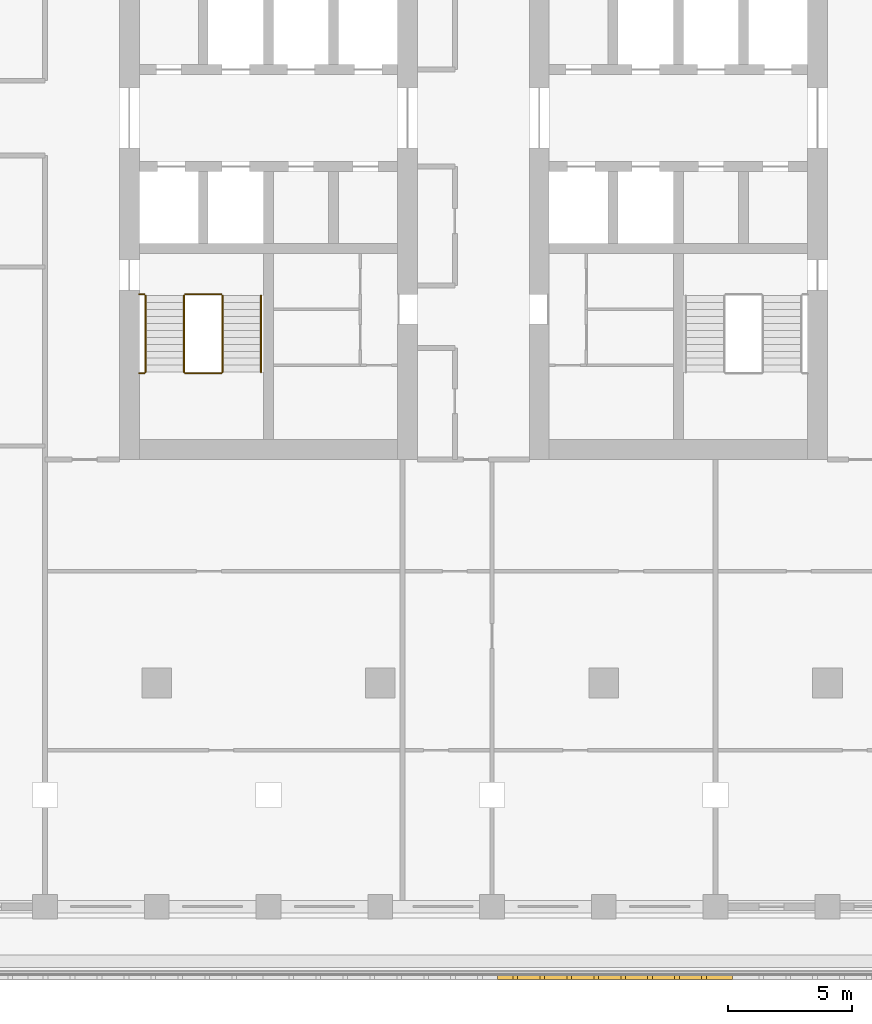
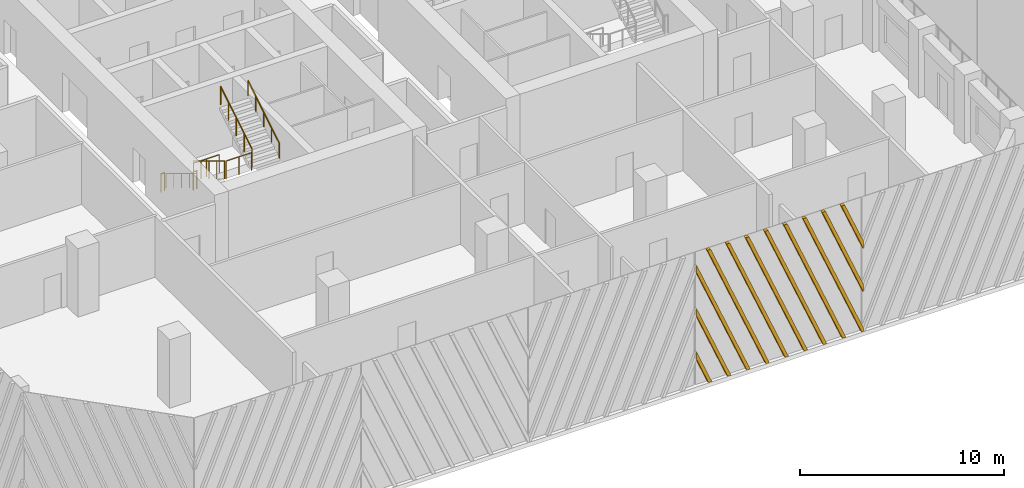
# One storey, part 11 of 17: 8 railings, 1 shading device.
"""IFC4 building model written with IfcOpenShell, lengths in metres."""

from ifc_helpers import new_model, si_unit, direction, frame, origin, origin_2d, place, context, subcontext, project, spatial, polyline, circle, outline, extrude, source, transform, mapped, material, type_object, element, save


model = new_model("IFC4")

# Units and contexts
model_context = context("Model", 3, precision=1e-05, world=origin(), true_north=direction((0.0, 1.0)))
body_context = subcontext(model_context, "Body", "Model", "MODEL_VIEW")
ifc_project = project(units=[si_unit("LENGTHUNIT", "METRE"), si_unit("AREAUNIT", "SQUARE_METRE"), si_unit("VOLUMEUNIT", "CUBIC_METRE"), si_unit("PLANEANGLEUNIT", "RADIAN"), si_unit("MASSUNIT", "GRAM", prefix="KILO")], contexts=[model_context])

# Site, building, storey
site_placement = place(None, origin())
site = spatial("IfcSite", under=ifc_project, at=site_placement, CompositionType="ELEMENT")
building_placement = place(site_placement, origin())
building = spatial("IfcBuilding", under=site, at=building_placement, Name="Corbel Stack Research Tower", CompositionType="ELEMENT")
storey_placement = place(building_placement, frame((0.0, 0.0, 156.800048828125)))
storey = spatial("IfcBuildingStorey", under=building, at=storey_placement, Name="L35", CompositionType="ELEMENT", Elevation=156.800048828125)

# Railings
ifc_material_1 = material(Name="Steel S355", Category="steel")
railing_type_1 = type_object("IfcRailingType", Name="Stair guard 1100", PredefinedType="GUARDRAIL", material=ifc_material_1)
railing_1_placement = place(storey_placement, frame((-7.89990234375, -2.39990234375, 0.1708984375)))
element("IfcRailing", 1, at=railing_1_placement, inside=storey, type_object=railing_type_1, Name="L35 ST-W1 stair guard 1", PredefinedType="GUARDRAIL", context=body_context, shape_type="SweptSolid", body=[
    extrude(circle(Radius=0.02392578125, at=origin_2d()), frame((0.0, 0.0, 1.076171875), z_axis=(0.0, -0.853666305674, 0.52082035152), x_axis=(1.0, 0.0, 0.0)), (0.0, 0.0, 1.0), 3.608154296875),
    extrude(circle(Radius=0.02099609375, at=origin_2d()), origin(), (0.0, 0.0, 1.0), 1.052001953125),
    extrude(circle(Radius=0.02099609375, at=origin_2d()), frame((0.0, -0.77001953125, 0.4697265625)), (0.0, 0.0, 1.0), 1.052001953125),
    extrude(circle(Radius=0.02099609375, at=origin_2d()), frame((0.0, -1.5400390625, 0.939453125)), (0.0, 0.0, 1.0), 1.052001953125),
    extrude(circle(Radius=0.02099609375, at=origin_2d()), frame((0.0, -2.31005859375, 1.409423828125)), (0.0, 0.0, 1.0), 1.052001953125),
    extrude(circle(Radius=0.02099609375, at=origin_2d()), frame((0.0, -3.080078125, 1.879150390625)), (0.0, 0.0, 1.0), 1.052001953125),
])
railing_2_placement = place(storey_placement, frame((-7.85009765625, -5.530029296875, 2.050048828125)))
element("IfcRailing", 2, at=railing_2_placement, inside=storey, type_object=railing_type_1, Name="L35 ST-W1 stair guard 2", PredefinedType="GUARDRAIL", context=body_context, shape_type="SweptSolid", body=[
    extrude(circle(Radius=0.02392578125, at=origin_2d()), frame((0.0, 0.0, 1.076171875), z_axis=(1.0, 0.0, 0.0), x_axis=(0.0, 1.0, 0.0)), (0.0, 0.0, 1.0), 1.4501953125),
    extrude(circle(Radius=0.02099609375, at=origin_2d()), origin(), (0.0, 0.0, 1.0), 1.052001953125),
    extrude(circle(Radius=0.02099609375, at=origin_2d()), frame((0.72509765625, 0.0, 0.0)), (0.0, 0.0, 1.0), 1.052001953125),
    extrude(circle(Radius=0.02099609375, at=origin_2d()), frame((1.4501953125, 0.0, 0.0)), (0.0, 0.0, 1.0), 1.052001953125),
])
railing_3_placement = place(storey_placement, frame((-9.699951171875, -5.530029296875, 2.050048828125)))
element("IfcRailing", 3, at=railing_3_placement, inside=storey, type_object=railing_type_1, Name="L35 ST-W1 stair guard 3", PredefinedType="GUARDRAIL", context=body_context, shape_type="SweptSolid", body=[
    extrude(circle(Radius=0.02392578125, at=origin_2d()), frame((0.0, 0.0, 1.076171875), z_axis=(1.0, 0.0, 0.0), x_axis=(0.0, 1.0, 0.0)), (0.0, 0.0, 1.0), 0.199951171875),
    extrude(circle(Radius=0.02099609375, at=origin_2d()), origin(), (0.0, 0.0, 1.0), 1.052001953125),
    extrude(circle(Radius=0.02099609375, at=origin_2d()), frame((0.199951171875, 0.0, 0.0)), (0.0, 0.0, 1.0), 1.052001953125),
])
railing_4_placement = place(storey_placement, frame((-6.35009765625, -5.47998046875, 2.220703125)))
element("IfcRailing", 4, at=railing_4_placement, inside=storey, type_object=railing_type_1, Name="L35 ST-W1 stair guard 4", PredefinedType="GUARDRAIL", context=body_context, shape_type="SweptSolid", body=[
    extrude(circle(Radius=0.02392578125, at=origin_2d()), frame((0.0, 0.0, 1.076171875), z_axis=(0.0, 0.853666305674, 0.52082035152), x_axis=(-1.0, 0.0, 0.0)), (0.0, 0.0, 1.0), 3.608154296875),
    extrude(circle(Radius=0.02099609375, at=origin_2d()), origin(), (0.0, 0.0, 1.0), 1.052001953125),
    extrude(circle(Radius=0.02099609375, at=origin_2d()), frame((0.0, 0.77001953125, 0.4697265625)), (0.0, 0.0, 1.0), 1.052001953125),
    extrude(circle(Radius=0.02099609375, at=origin_2d()), frame((0.0, 1.5400390625, 0.939453125)), (0.0, 0.0, 1.0), 1.052001953125),
    extrude(circle(Radius=0.02099609375, at=origin_2d()), frame((0.0, 2.31005859375, 1.409423828125)), (0.0, 0.0, 1.0), 1.052001953125),
    extrude(circle(Radius=0.02099609375, at=origin_2d()), frame((0.0, 3.080078125, 1.879150390625)), (0.0, 0.0, 1.0), 1.052001953125),
])
railing_5_placement = place(storey_placement, frame((-7.85009765625, -2.35009765625, 0.0)))
element("IfcRailing", 5, at=railing_5_placement, inside=storey, type_object=railing_type_1, Name="L35 ST-W1 stair guard 5", PredefinedType="GUARDRAIL", context=body_context, shape_type="SweptSolid", body=[
    extrude(circle(Radius=0.02392578125, at=origin_2d()), frame((0.0, 0.0, 1.076171875), z_axis=(1.0, 0.0, 0.0), x_axis=(0.0, 1.0, 0.0)), (0.0, 0.0, 1.0), 1.4501953125),
    extrude(circle(Radius=0.02099609375, at=origin_2d()), origin(), (0.0, 0.0, 1.0), 1.052001953125),
    extrude(circle(Radius=0.02099609375, at=origin_2d()), frame((0.72509765625, 0.0, 0.0)), (0.0, 0.0, 1.0), 1.052001953125),
    extrude(circle(Radius=0.02099609375, at=origin_2d()), frame((1.4501953125, 0.0, 0.0)), (0.0, 0.0, 1.0), 1.052001953125),
])
railing_6_placement = place(storey_placement, frame((-9.699951171875, -2.35009765625, 0.0)))
element("IfcRailing", 6, at=railing_6_placement, inside=storey, type_object=railing_type_1, Name="L35 ST-W1 stair guard 6", PredefinedType="GUARDRAIL", context=body_context, shape_type="SweptSolid", body=[
    extrude(circle(Radius=0.02392578125, at=origin_2d()), frame((0.0, 0.0, 1.076171875), z_axis=(1.0, 0.0, 0.0), x_axis=(0.0, 1.0, 0.0)), (0.0, 0.0, 1.0), 0.199951171875),
    extrude(circle(Radius=0.02099609375, at=origin_2d()), origin(), (0.0, 0.0, 1.0), 1.052001953125),
    extrude(circle(Radius=0.02099609375, at=origin_2d()), frame((0.199951171875, 0.0, 0.0)), (0.0, 0.0, 1.0), 1.052001953125),
])
ifc_material_2 = material(Name="Steel S355", Category="steel")
railing_type_2 = type_object("IfcRailingType", Name="Stair handrail 900", PredefinedType="HANDRAIL", material=ifc_material_2)
railing_7_placement = place(storey_placement, frame((-9.449951171875, -2.39990234375, 0.1708984375)))
element("IfcRailing", 7, at=railing_7_placement, inside=storey, type_object=railing_type_2, Name="L35 ST-W1 stair handrail 1", PredefinedType="HANDRAIL", context=body_context, shape_type="SweptSolid", body=[
    extrude(circle(Radius=0.02392578125, at=origin_2d()), frame((0.0, 0.0, 0.8759765625), z_axis=(0.0, -0.853666305674, 0.52082035152), x_axis=(1.0, 0.0, 0.0)), (0.0, 0.0, 1.0), 3.608154296875),
    extrude(circle(Radius=0.02099609375, at=origin_2d()), origin(), (0.0, 0.0, 1.0), 0.851806640625),
    extrude(circle(Radius=0.02099609375, at=origin_2d()), frame((0.0, -0.77001953125, 0.4697265625)), (0.0, 0.0, 1.0), 0.851806640625),
    extrude(circle(Radius=0.02099609375, at=origin_2d()), frame((0.0, -1.5400390625, 0.939453125)), (0.0, 0.0, 1.0), 0.851806640625),
    extrude(circle(Radius=0.02099609375, at=origin_2d()), frame((0.0, -2.31005859375, 1.409423828125)), (0.0, 0.0, 1.0), 0.851806640625),
    extrude(circle(Radius=0.02099609375, at=origin_2d()), frame((0.0, -3.080078125, 1.879150390625)), (0.0, 0.0, 1.0), 0.851806640625),
])
railing_8_placement = place(storey_placement, frame((-4.800048828125, -5.47998046875, 2.220703125)))
element("IfcRailing", 8, at=railing_8_placement, inside=storey, type_object=railing_type_2, Name="L35 ST-W1 stair handrail 2", PredefinedType="HANDRAIL", context=body_context, shape_type="SweptSolid", body=[
    extrude(circle(Radius=0.02392578125, at=origin_2d()), frame((0.0, 0.0, 0.8759765625), z_axis=(0.0, 0.853666305674, 0.52082035152), x_axis=(-1.0, 0.0, 0.0)), (0.0, 0.0, 1.0), 3.608154296875),
    extrude(circle(Radius=0.02099609375, at=origin_2d()), origin(), (0.0, 0.0, 1.0), 0.851806640625),
    extrude(circle(Radius=0.02099609375, at=origin_2d()), frame((0.0, 0.77001953125, 0.4697265625)), (0.0, 0.0, 1.0), 0.851806640625),
    extrude(circle(Radius=0.02099609375, at=origin_2d()), frame((0.0, 1.5400390625, 0.939453125)), (0.0, 0.0, 1.0), 0.851806640625),
    extrude(circle(Radius=0.02099609375, at=origin_2d()), frame((0.0, 2.31005859375, 1.409423828125)), (0.0, 0.0, 1.0), 0.851806640625),
    extrude(circle(Radius=0.02099609375, at=origin_2d()), frame((0.0, 3.080078125, 1.879150390625)), (0.0, 0.0, 1.0), 0.851806640625),
])

# Shading device
ifc_material_3 = material(Name="Precast terracotta", Category="masonry")
shading_device_type = type_object("IfcShadingDeviceType", Name="Terracotta screen panel", PredefinedType="USERDEFINED", material=ifc_material_3)
shared_shape = source(origin(), body_context, "Body", "SweptSolid", [
    extrude(outline(polyline([(0.873291015625, 0.0), (0.0, 2.091064453125), (0.0, 1.635986328125), (0.683349609375, 0.0), (0.873291015625, 0.0)])), frame((0.0, 0.0, 0.0), z_axis=(0.0, -1.0, 0.0), x_axis=(1.0, 0.0, 0.0)), (0.0, 0.0, 1.0), 0.179931640625),
    extrude(outline(polyline([(1.9580078125, 0.0), (0.0, 4.688232421875), (0.0, 4.2333984375), (1.76806640625, 0.0), (1.9580078125, 0.0)])), frame((0.0, 0.0, 0.0), z_axis=(0.0, -1.0, 0.0), x_axis=(1.0, 0.0, 0.0)), (0.0, 0.0, 1.0), 0.179931640625),
    extrude(outline(polyline([(3.04248046875, 0.0), (0.0, 7.285400390625), (0.0, 6.83056640625), (2.8525390625, 0.0), (3.04248046875, 0.0)])), frame((0.0, 0.0, 0.0), z_axis=(0.0, -1.0, 0.0), x_axis=(1.0, 0.0, 0.0)), (0.0, 0.0, 1.0), 0.179931640625),
    extrude(outline(polyline([(4.127197265625, 0.0), (0.80712890625, 7.949951171875), (0.6171875, 7.949951171875), (3.937255859375, 0.0), (4.127197265625, 0.0)])), frame((0.0, 0.0, 0.0), z_axis=(0.0, -1.0, 0.0), x_axis=(1.0, 0.0, 0.0)), (0.0, 0.0, 1.0), 0.179931640625),
    extrude(outline(polyline([(5.2119140625, 0.0), (1.891845703125, 7.949951171875), (1.701904296875, 7.949951171875), (5.02197265625, 0.0), (5.2119140625, 0.0)])), frame((0.0, 0.0, 0.0), z_axis=(0.0, -1.0, 0.0), x_axis=(1.0, 0.0, 0.0)), (0.0, 0.0, 1.0), 0.179931640625),
    extrude(outline(polyline([(6.296630859375, 0.0), (2.9765625, 7.949951171875), (2.78662109375, 7.949951171875), (6.106689453125, 0.0), (6.296630859375, 0.0)])), frame((0.0, 0.0, 0.0), z_axis=(0.0, -1.0, 0.0), x_axis=(1.0, 0.0, 0.0)), (0.0, 0.0, 1.0), 0.179931640625),
    extrude(outline(polyline([(7.38134765625, 0.0), (4.06103515625, 7.949951171875), (3.87109375, 7.949951171875), (7.19140625, 0.0), (7.38134765625, 0.0)])), frame((0.0, 0.0, 0.0), z_axis=(0.0, -1.0, 0.0), x_axis=(1.0, 0.0, 0.0)), (0.0, 0.0, 1.0), 0.179931640625),
    extrude(outline(polyline([(8.466064453125, 0.0), (5.145751953125, 7.949951171875), (4.955810546875, 7.949951171875), (8.27587890625, 0.0), (8.466064453125, 0.0)])), frame((0.0, 0.0, 0.0), z_axis=(0.0, -1.0, 0.0), x_axis=(1.0, 0.0, 0.0)), (0.0, 0.0, 1.0), 0.179931640625),
    extrude(outline(polyline([(9.45556640625, 0.0), (9.45556640625, 0.2275390625), (6.23046875, 7.949951171875), (6.04052734375, 7.949951171875), (9.360595703125, 0.0), (9.45556640625, 0.0)])), frame((0.0, 0.0, 0.0), z_axis=(0.0, -1.0, 0.0), x_axis=(1.0, 0.0, 0.0)), (0.0, 0.0, 1.0), 0.179931640625),
    extrude(outline(polyline([(7.315185546875, 7.949951171875), (7.125, 7.949951171875), (9.45556640625, 2.36962890625), (9.45556640625, 2.82470703125), (7.315185546875, 7.949951171875)])), frame((0.0, 0.0, 0.0), z_axis=(0.0, -1.0, 0.0), x_axis=(1.0, 0.0, 0.0)), (0.0, 0.0, 1.0), 0.179931640625),
    extrude(outline(polyline([(8.39990234375, 7.949951171875), (8.209716796875, 7.949951171875), (9.45556640625, 4.966796875), (9.45556640625, 5.421875), (8.39990234375, 7.949951171875)])), frame((0.0, 0.0, 0.0), z_axis=(0.0, -1.0, 0.0), x_axis=(1.0, 0.0, 0.0)), (0.0, 0.0, 1.0), 0.179931640625),
])
shading_device_placement = place(storey_placement, frame((4.727783203125, -29.75, 0.0), z_axis=(0.0, 0.0, 1.0), x_axis=(1.0, 0.0, 0.0)))
element("IfcShadingDevice", 9, at=shading_device_placement, inside=storey, type_object=shading_device_type, Name="Terracotta screen L35 S4", ObjectType="SCREEN", PredefinedType="USERDEFINED", context=body_context, shape_type="MappedRepresentation", body=[
    mapped(shared_shape, transform((0.0, 0.0, 0.0))),
])

save(model, "model.ifc")
